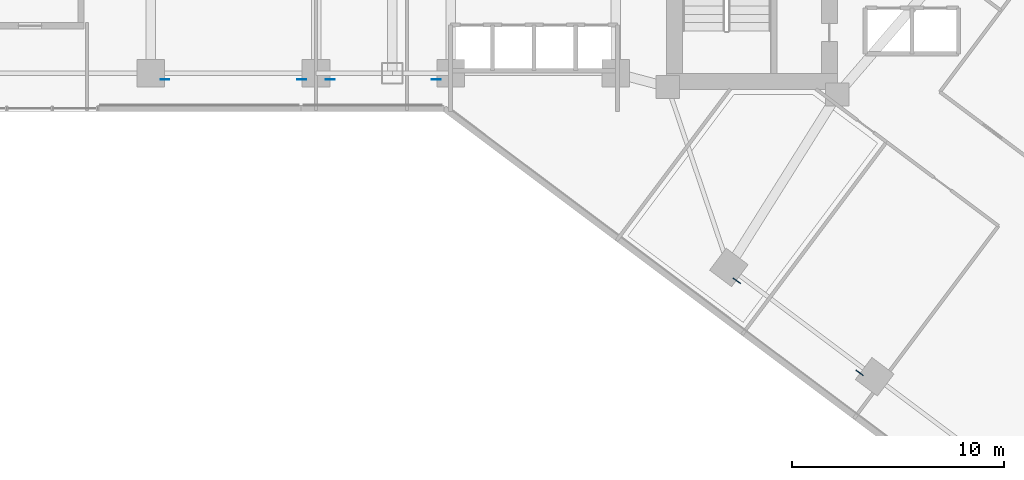
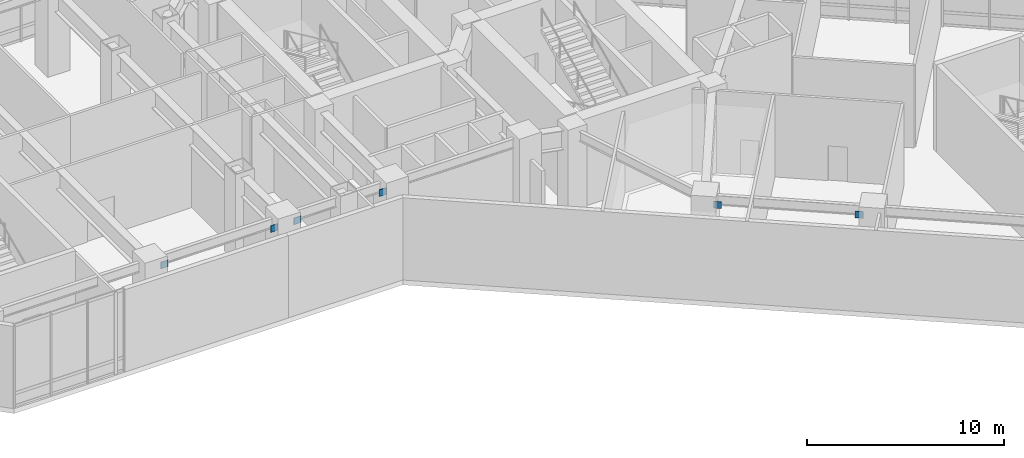
# One storey, part 26 of 35: 6 plates.
"""IFC4 building model written with IfcOpenShell, lengths in metres."""

from ifc_helpers import new_model, si_unit, direction, frame, origin, origin_2d, place, context, subcontext, project, spatial, rectangle, extrude, material, layer, layer_set, type_object, element, save


model = new_model("IFC4")

# Units and contexts
model_context = context("Model", 3, precision=1e-05, world=origin(), true_north=direction((0.0, 1.0)))
body_context = subcontext(model_context, "Body", "Model", "MODEL_VIEW")
ifc_project = project(units=[si_unit("LENGTHUNIT", "METRE"), si_unit("AREAUNIT", "SQUARE_METRE"), si_unit("VOLUMEUNIT", "CUBIC_METRE"), si_unit("PLANEANGLEUNIT", "RADIAN"), si_unit("MASSUNIT", "GRAM", prefix="KILO")], contexts=[model_context])

# Site, building, storey
site_placement = place(None, origin())
site = spatial("IfcSite", under=ifc_project, at=site_placement, CompositionType="ELEMENT")
building_placement = place(site_placement, origin())
building = spatial("IfcBuilding", under=site, at=building_placement, Name="Hatsunagi Terrace Concourse", CompositionType="ELEMENT")
storey_placement = place(building_placement, frame((0.0, 0.0, 16.199951171875)))
storey = spatial("IfcBuildingStorey", under=building, at=storey_placement, Name="L04", CompositionType="ELEMENT", Elevation=16.199951171875)

# Plates
ifc_material = material(Name="Steel SN490C", Category="steel")
ifc_layer = layer(ifc_material, 0.031982421875)
ifc_layer_set = layer_set([ifc_layer], Name="XBraceNodeCapPlate_32")
plate_type = type_object("IfcPlateType", Name="XBraceNodeCapPlate_32", PredefinedType="USERDEFINED", material=ifc_layer_set)
for number, where, z_axis, x_axis, name in (
    (1, (19.875, 24.89990234375, 4.4501953125), (0.0, 0.0, 1.0), (1.0, 0.0, 0.0), "Cast-In Core and Node Embed Plate GP-02 EP-XB-L02-W1-AT"),
    (2, (24.875, 24.89990234375, 4.4501953125), (0.0, 0.0, 1.0), (1.0, 0.0, 0.0), "Cast-In Core and Node Embed Plate GP-02 EP-XB-L02-W1-BT"),
    (3, (12.074951171875, 24.89990234375, 4.4501953125), (0.0, 0.0, 1.0), (1.0, 0.0, 0.0), "Cast-In Core and Node Embed Plate GP-02 EP-XB-L02-W2-AT"),
    (4, (18.52490234375, 24.89990234375, 4.4501953125), (0.0, 0.0, 1.0), (1.0, 0.0, 0.0), "Cast-In Core and Node Embed Plate GP-02 EP-XB-L02-W2-BT"),
    (5, (39.052001953125, 15.410888671875, 4.4501953125), (0.0, 0.0, 1.0), (0.799999996291, -0.600000004945, 0.0), "Cast-In Core and Node Embed Plate GP-02 EP-XB-L02-SE-AT"),
    (6, (44.85205078125, 11.06103515625, 4.4501953125), (0.0, 0.0, 1.0), (0.799999996291, -0.600000004945, 0.0), "Cast-In Core and Node Embed Plate GP-02 EP-XB-L02-SE-BT"),
):
    element("IfcPlate", number, at=place(storey_placement, frame(where, z_axis=z_axis, x_axis=x_axis)), inside=storey, type_object=plate_type, Name=name, ObjectType="GUSSET_PLATE", PredefinedType="USERDEFINED", context=body_context, shape_type="SweptSolid", body=[
        extrude(rectangle(XDim=0.419921875, YDim=0.031982421875, at=origin_2d()), origin(), (0.0, 0.0, 1.0), 0.419921875),
    ])

save(model, "model.ifc")
